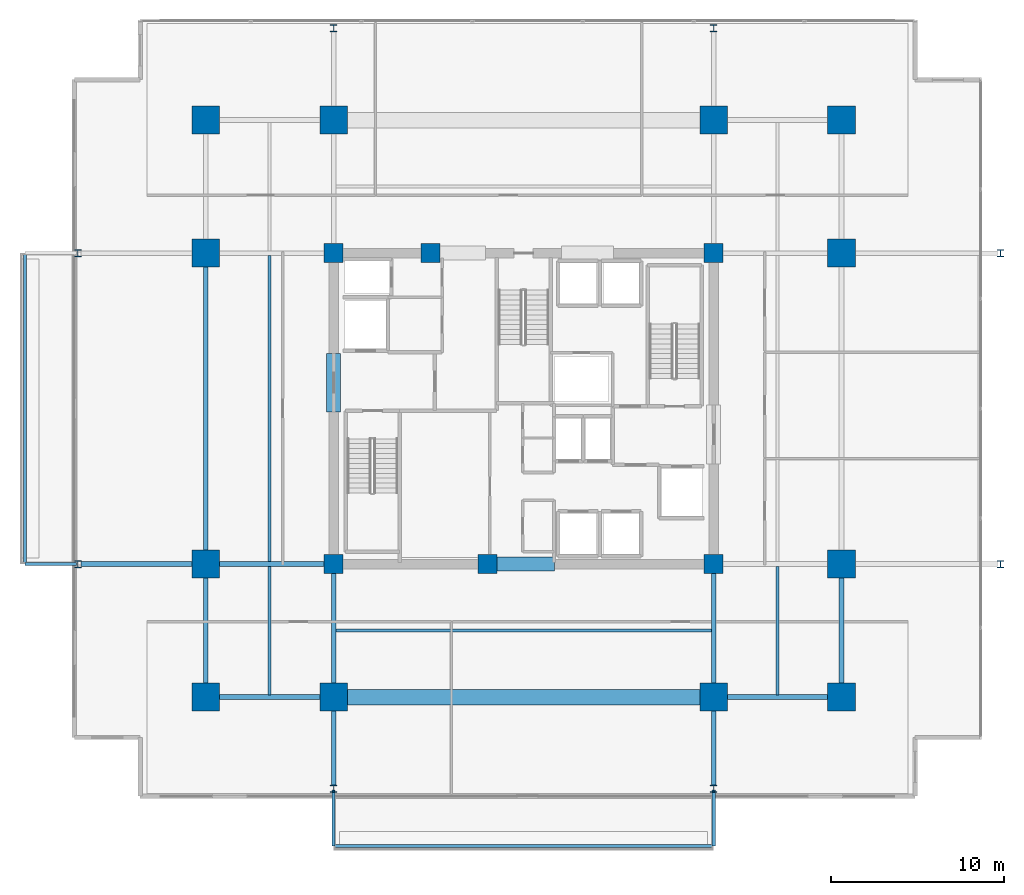
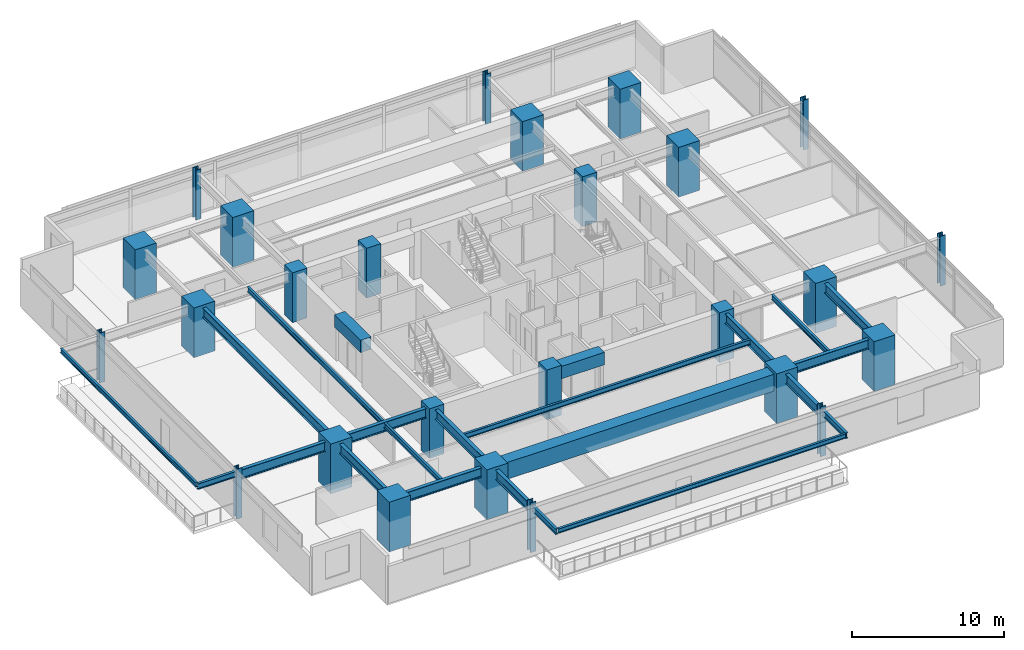
# One storey, part 1 of 23: 26 columns, 23 beams.
"""IFC4 building model written with IfcOpenShell, lengths in metres."""

from ifc_helpers import new_model, si_unit, direction, frame, origin, origin_2d, place, context, subcontext, project, spatial, rectangle, i_section, extrude, material, material_profile, profile_set, type_object, element, save


model = new_model("IFC4")

# Units and contexts
model_context = context("Model", 3, precision=1e-05, world=origin(), true_north=direction((0.0, 1.0)))
body_context = subcontext(model_context, "Body", "Model", "MODEL_VIEW")
ifc_project = project(units=[si_unit("LENGTHUNIT", "METRE"), si_unit("AREAUNIT", "SQUARE_METRE"), si_unit("VOLUMEUNIT", "CUBIC_METRE"), si_unit("PLANEANGLEUNIT", "RADIAN"), si_unit("MASSUNIT", "GRAM", prefix="KILO")], contexts=[model_context])

# Site, building, storey
site_placement = place(None, origin())
site = spatial("IfcSite", under=ifc_project, at=site_placement, CompositionType="ELEMENT")
building_placement = place(site_placement, origin())
building = spatial("IfcBuilding", under=site, at=building_placement, Name="Kovane Verandah Tower", CompositionType="ELEMENT")
storey_placement = place(building_placement, frame((0.0, 0.0, 140.39990234375)))
storey = spatial("IfcBuildingStorey", under=building, at=storey_placement, Name="L32", CompositionType="ELEMENT", Elevation=140.39990234375)

# Columns
ifc_material_1 = material(Name="Concrete C80/95", Category="concrete")
ifc_material_profile_1 = material_profile(ifc_material_1, rectangle(XDim=1.60009765625, YDim=1.60009765625, at=origin_2d()), Name="RC1600x1600")
ifc_profile_set_1 = profile_set([ifc_material_profile_1], Name="Concrete C80/95")
column_type_1 = type_object("IfcColumnType", Name="COL-RC1600", PredefinedType="COLUMN", material=ifc_profile_set_1)
for number, where, z_axis, x_axis, name in (
    (1, (29.0, 10.800048828125, 0.0), (0.0, 0.0, 1.0), (1.0, 0.0, 0.0), "L32 Tower Mega-Column MC-S1"),
    (2, (51.0, 10.800048828125, 0.0), (0.0, 0.0, 1.0), (1.0, 0.0, 0.0), "L32 Tower Mega-Column MC-S2"),
    (3, (29.0, 44.199951171875, 0.0), (0.0, 0.0, 1.0), (1.0, 0.0, 0.0), "L32 Tower Mega-Column MC-N1"),
    (4, (51.0, 44.199951171875, 0.0), (0.0, 0.0, 1.0), (1.0, 0.0, 0.0), "L32 Tower Mega-Column MC-N2"),
    (5, (21.60009765625, 18.5, 0.0), (0.0, 0.0, 1.0), (1.0, 0.0, 0.0), "L32 Tower Mega-Column MC-W1"),
    (6, (21.60009765625, 36.5, 0.0), (0.0, 0.0, 1.0), (1.0, 0.0, 0.0), "L32 Tower Mega-Column MC-W2"),
    (7, (58.39990234375, 18.5, 0.0), (0.0, 0.0, 1.0), (1.0, 0.0, 0.0), "L32 Tower Mega-Column MC-E1"),
    (8, (58.39990234375, 36.5, 0.0), (0.0, 0.0, 1.0), (1.0, 0.0, 0.0), "L32 Tower Mega-Column MC-E2"),
    (9, (21.60009765625, 10.800048828125, 0.0), (0.0, 0.0, 1.0), (1.0, 0.0, 0.0), "L32 Tower Mega-Column MC-SW"),
    (10, (58.39990234375, 10.800048828125, 0.0), (0.0, 0.0, 1.0), (1.0, 0.0, 0.0), "L32 Tower Mega-Column MC-SE"),
    (11, (21.60009765625, 44.199951171875, 0.0), (0.0, 0.0, 1.0), (1.0, 0.0, 0.0), "L32 Tower Mega-Column MC-NW"),
    (12, (58.39990234375, 44.199951171875, 0.0), (0.0, 0.0, 1.0), (1.0, 0.0, 0.0), "L32 Tower Mega-Column MC-NE"),
):
    element("IfcColumn", number, at=place(storey_placement, frame(where, z_axis=z_axis, x_axis=x_axis)), inside=storey, type_object=column_type_1, Name=name, PredefinedType="COLUMN", context=body_context, shape_type="SweptSolid", body=[
        extrude(rectangle(XDim=1.60009765625, YDim=1.60009765625, at=origin_2d()), origin(), (0.0, 0.0, 1.0), 4.0),
    ])
ifc_material_2 = material(Name="Steel S460", Category="steel")
ifc_material_profile_2 = material_profile(ifc_material_2, i_section(OverallWidth=0.412109375, OverallDepth=0.4365234375, WebThickness=0.035888671875, FlangeThickness=0.05810546875, FilletRadius=0.01513671875, at=origin_2d()), Name="UC356x406x467")
ifc_profile_set_2 = profile_set([ifc_material_profile_2], Name="Steel S460")
column_type_2 = type_object("IfcColumnType", Name="COL-UC467", PredefinedType="COLUMN", material=ifc_profile_set_2)
for number, where, z_axis, x_axis, name in (
    (13, (14.199951171875, 18.5, 0.0), (0.0, 0.0, 1.0), (1.0, 0.0, 0.0), "L32 Verandah Perimeter Column VC-W1"),
    (14, (14.199951171875, 36.5, 0.0), (0.0, 0.0, 1.0), (1.0, 0.0, 0.0), "L32 Verandah Perimeter Column VC-W2"),
    (15, (67.60009765625, 18.5, 0.0), (0.0, 0.0, 1.0), (1.0, 0.0, 0.0), "L32 Verandah Perimeter Column VC-E1"),
    (16, (67.60009765625, 36.5, 0.0), (0.0, 0.0, 1.0), (1.0, 0.0, 0.0), "L32 Verandah Perimeter Column VC-E2"),
    (17, (29.0, 5.5, 0.0), (0.0, 0.0, 1.0), (1.0, 0.0, 0.0), "L32 Verandah Perimeter Column VC-S1"),
    (18, (51.0, 5.5, 0.0), (0.0, 0.0, 1.0), (1.0, 0.0, 0.0), "L32 Verandah Perimeter Column VC-S2"),
    (19, (29.0, 49.5, 0.0), (0.0, 0.0, 1.0), (1.0, 0.0, 0.0), "L32 Verandah Perimeter Column VC-N1"),
    (20, (51.0, 49.5, 0.0), (0.0, 0.0, 1.0), (1.0, 0.0, 0.0), "L32 Verandah Perimeter Column VC-N2"),
):
    element("IfcColumn", number, at=place(storey_placement, frame(where, z_axis=z_axis, x_axis=x_axis)), inside=storey, type_object=column_type_2, Name=name, PredefinedType="COLUMN", context=body_context, shape_type="SweptSolid", body=[
        extrude(i_section(OverallWidth=0.412109375, OverallDepth=0.4365234375, WebThickness=0.035888671875, FlangeThickness=0.05810546875, FilletRadius=0.01513671875, at=origin_2d()), origin(), (0.0, 0.0, 1.0), 4.0),
    ])
ifc_material_profile_3 = material_profile(ifc_material_1, rectangle(XDim=1.10009765625, YDim=1.10009765625, at=origin_2d()), Name="RC1100x1100")
ifc_profile_set_3 = profile_set([ifc_material_profile_3], Name="Concrete C80/95")
column_type_3 = type_object("IfcColumnType", Name="PIL-RC1100", PredefinedType="PILASTER", material=ifc_profile_set_3)
for number, where, z_axis, x_axis, name in (
    (21, (29.0, 18.5, 0.0), (0.0, 0.0, 1.0), (1.0, 0.0, 0.0), "L32 Core Pilaster CP-SW"),
    (22, (51.0, 18.5, 0.0), (0.0, 0.0, 1.0), (1.0, 0.0, 0.0), "L32 Core Pilaster CP-SE"),
    (23, (29.0, 36.5, 0.0), (0.0, 0.0, 1.0), (1.0, 0.0, 0.0), "L32 Core Pilaster CP-NW"),
    (24, (51.0, 36.5, 0.0), (0.0, 0.0, 1.0), (1.0, 0.0, 0.0), "L32 Core Pilaster CP-NE"),
    (25, (37.89990234375, 18.5, 0.0), (0.0, 0.0, 1.0), (1.0, 0.0, 0.0), "L32 Core Pilaster CP-S"),
    (26, (34.60009765625, 36.5, 0.0), (0.0, 0.0, 1.0), (1.0, 0.0, 0.0), "L32 Core Pilaster CP-N"),
):
    element("IfcColumn", number, at=place(storey_placement, frame(where, z_axis=z_axis, x_axis=x_axis)), inside=storey, type_object=column_type_3, Name=name, PredefinedType="PILASTER", context=body_context, shape_type="SweptSolid", body=[
        extrude(rectangle(XDim=1.10009765625, YDim=1.10009765625, at=origin_2d()), origin(), (0.0, 0.0, 1.0), 4.0),
    ])

# Beams
ifc_material_3 = material(Name="Concrete C60/75", Category="concrete")
ifc_material_profile_4 = material_profile(ifc_material_3, rectangle(XDim=0.800048828125, YDim=1.0, at=origin_2d()), Name="RCB800x1000")
ifc_profile_set_4 = profile_set([ifc_material_profile_4], Name="Concrete C60/75")
beam_type_1 = type_object("IfcBeamType", Name="BM-LINTEL-800x1000", PredefinedType="LINTEL", material=ifc_profile_set_4)
beam_1_placement = place(storey_placement, frame((38.199951171875, 18.5, 3.275146484375), z_axis=(1.0, 0.0, 0.0), x_axis=(0.0, 1.0, 0.0)))
element("IfcBeam", 27, at=beam_1_placement, inside=storey, type_object=beam_type_1, Name="L32 Core Coupling Lintel CL-S", PredefinedType="LINTEL", context=body_context, shape_type="SweptSolid", body=[
    extrude(rectangle(XDim=0.800048828125, YDim=1.0, at=origin_2d()), origin(), (0.0, 0.0, 1.0), 3.60009765625),
])
beam_2_placement = place(storey_placement, frame((29.0, 27.300048828125, 3.275146484375), z_axis=(0.0, 1.0, 0.0), x_axis=(-1.0, 0.0, 0.0)))
element("IfcBeam", 28, at=beam_2_placement, inside=storey, type_object=beam_type_1, Name="L32 Core Coupling Lintel CL-W", PredefinedType="LINTEL", context=body_context, shape_type="SweptSolid", body=[
    extrude(rectangle(XDim=0.800048828125, YDim=1.0, at=origin_2d()), origin(), (0.0, 0.0, 1.0), 3.39990234375),
])
ifc_material_profile_5 = material_profile(ifc_material_1, rectangle(XDim=0.89990234375, YDim=1.35009765625, at=origin_2d()), Name="RCB900x1350")
ifc_profile_set_5 = profile_set([ifc_material_profile_5], Name="Concrete C80/95")
beam_type_2 = type_object("IfcBeamType", Name="BM-TR-900x1350", PredefinedType="BEAM", material=ifc_profile_set_5)
beam_3_placement = place(storey_placement, frame((29.179931640625, 10.800048828125, 3.10009765625), z_axis=(1.0, 0.0, 0.0), x_axis=(0.0, 1.0, 0.0)))
element("IfcBeam", 29, at=beam_3_placement, inside=storey, type_object=beam_type_2, Name="L32 Primary Tower Girder G-RS2", PredefinedType="BEAM", context=body_context, shape_type="SweptSolid", body=[
    extrude(rectangle(XDim=0.89990234375, YDim=1.35009765625, at=origin_2d()), origin(), (0.0, 0.0, 1.0), 21.64013671875),
])
ifc_material_4 = material(Name="Steel S355", Category="steel")
ifc_material_profile_6 = material_profile(ifc_material_4, i_section(OverallWidth=0.26806640625, OverallDepth=0.769775390625, WebThickness=0.015625, FlangeThickness=0.025390625, FilletRadius=0.0166015625, at=origin_2d()), Name="UB762x267x197")
ifc_profile_set_6 = profile_set([ifc_material_profile_6], Name="Steel S355")
beam_type_3 = type_object("IfcBeamType", Name="BM-UB762x197", PredefinedType="BEAM", material=ifc_profile_set_6)
for number, where, z_axis, x_axis, name in (
    (30, (21.780029296875, 10.800048828125, 3.39013671875), (1.0, 0.0, 0.0), (0.0, 1.0, 0.0), "L32 Primary Tower Girder G-RS1"),
    (31, (51.179931640625, 10.800048828125, 3.39013671875), (1.0, 0.0, 0.0), (0.0, 1.0, 0.0), "L32 Primary Tower Girder G-RS3"),
):
    element("IfcBeam", number, at=place(storey_placement, frame(where, z_axis=z_axis, x_axis=x_axis)), inside=storey, type_object=beam_type_3, Name=name, PredefinedType="BEAM", context=body_context, shape_type="SweptSolid", body=[
        extrude(i_section(OverallWidth=0.26806640625, OverallDepth=0.769775390625, WebThickness=0.015625, FlangeThickness=0.025390625, FilletRadius=0.0166015625, at=origin_2d()), origin(), (0.0, 0.0, 1.0), 7.0400390625),
    ])
beam_4_placement = place(storey_placement, frame((21.60009765625, 10.97998046875, 3.39013671875), z_axis=(0.0, 1.0, 0.0), x_axis=(-1.0, 0.0, 0.0)))
element("IfcBeam", 32, at=beam_4_placement, inside=storey, type_object=beam_type_3, Name="L32 Primary Tower Girder G-RW1", PredefinedType="BEAM", context=body_context, shape_type="SweptSolid", body=[
    extrude(i_section(OverallWidth=0.26806640625, OverallDepth=0.769775390625, WebThickness=0.015625, FlangeThickness=0.025390625, FilletRadius=0.0166015625, at=origin_2d()), origin(), (0.0, 0.0, 1.0), 7.340087890625),
])
beam_5_placement = place(storey_placement, frame((21.60009765625, 18.679931640625, 3.39013671875), z_axis=(0.0, 1.0, 0.0), x_axis=(-1.0, 0.0, 0.0)))
element("IfcBeam", 33, at=beam_5_placement, inside=storey, type_object=beam_type_3, Name="L32 Primary Tower Girder G-RW2", PredefinedType="BEAM", context=body_context, shape_type="SweptSolid", body=[
    extrude(i_section(OverallWidth=0.26806640625, OverallDepth=0.769775390625, WebThickness=0.015625, FlangeThickness=0.025390625, FilletRadius=0.0166015625, at=origin_2d()), origin(), (0.0, 0.0, 1.0), 17.64013671875),
])
beam_6_placement = place(storey_placement, frame((58.39990234375, 10.97998046875, 3.39013671875), z_axis=(0.0, 1.0, 0.0), x_axis=(-1.0, 0.0, 0.0)))
element("IfcBeam", 34, at=beam_6_placement, inside=storey, type_object=beam_type_3, Name="L32 Primary Tower Girder G-RE1", PredefinedType="BEAM", context=body_context, shape_type="SweptSolid", body=[
    extrude(i_section(OverallWidth=0.26806640625, OverallDepth=0.769775390625, WebThickness=0.015625, FlangeThickness=0.025390625, FilletRadius=0.0166015625, at=origin_2d()), origin(), (0.0, 0.0, 1.0), 7.340087890625),
])
beam_7_placement = place(storey_placement, frame((28.820068359375, 18.5, 3.39013671875), z_axis=(-1.0, 0.0, 0.0), x_axis=(0.0, -1.0, 0.0)))
element("IfcBeam", 35, at=beam_7_placement, inside=storey, type_object=beam_type_3, Name="L32 Primary Tower Girder G-W1", PredefinedType="BEAM", context=body_context, shape_type="SweptSolid", body=[
    extrude(i_section(OverallWidth=0.26806640625, OverallDepth=0.769775390625, WebThickness=0.015625, FlangeThickness=0.025390625, FilletRadius=0.0166015625, at=origin_2d()), origin(), (0.0, 0.0, 1.0), 7.0400390625),
])
for number, where, z_axis, x_axis, name in (
    (36, (29.0, 18.320068359375, 3.39013671875), (0.0, -1.0, 0.0), (1.0, 0.0, 0.0), "L32 Primary Tower Girder G-S1"),
    (37, (51.0, 18.320068359375, 3.39013671875), (0.0, -1.0, 0.0), (1.0, 0.0, 0.0), "L32 Primary Tower Girder G-S2"),
):
    element("IfcBeam", number, at=place(storey_placement, frame(where, z_axis=z_axis, x_axis=x_axis)), inside=storey, type_object=beam_type_3, Name=name, PredefinedType="BEAM", context=body_context, shape_type="SweptSolid", body=[
        extrude(i_section(OverallWidth=0.26806640625, OverallDepth=0.769775390625, WebThickness=0.015625, FlangeThickness=0.025390625, FilletRadius=0.0166015625, at=origin_2d()), origin(), (0.0, 0.0, 1.0), 7.340087890625),
    ])
beam_8_placement = place(storey_placement, frame((21.419921875, 18.5, 3.375244140625), z_axis=(-1.0, 0.0, 0.0), x_axis=(0.0, -1.0, 0.0)))
element("IfcBeam", 38, at=beam_8_placement, inside=storey, type_object=beam_type_3, Name="L32 Primary Tower Girder G-VW1", PredefinedType="BEAM", context=body_context, shape_type="SweptSolid", body=[
    extrude(i_section(OverallWidth=0.26806640625, OverallDepth=0.769775390625, WebThickness=0.015625, FlangeThickness=0.025390625, FilletRadius=0.0166015625, at=origin_2d()), origin(), (0.0, 0.0, 1.0), 7.0400390625),
])
for number, where, z_axis, x_axis, name in (
    (39, (29.0, 10.6201171875, 3.375244140625), (0.0, -1.0, 0.0), (1.0, 0.0, 0.0), "L32 Primary Tower Girder G-VS1"),
    (40, (51.0, 10.6201171875, 3.375244140625), (0.0, -1.0, 0.0), (1.0, 0.0, 0.0), "L32 Primary Tower Girder G-VS2"),
):
    element("IfcBeam", number, at=place(storey_placement, frame(where, z_axis=z_axis, x_axis=x_axis)), inside=storey, type_object=beam_type_3, Name=name, PredefinedType="BEAM", context=body_context, shape_type="SweptSolid", body=[
        extrude(i_section(OverallWidth=0.26806640625, OverallDepth=0.769775390625, WebThickness=0.015625, FlangeThickness=0.025390625, FilletRadius=0.0166015625, at=origin_2d()), origin(), (0.0, 0.0, 1.0), 4.940185546875),
    ])
ifc_material_profile_7 = material_profile(ifc_material_4, i_section(OverallWidth=0.179443359375, OverallDepth=0.412841796875, WebThickness=0.009521484375, FlangeThickness=0.01611328125, FilletRadius=0.01025390625, at=origin_2d()), Name="UB406x178x74")
ifc_profile_set_7 = profile_set([ifc_material_profile_7], Name="Steel S355")
beam_type_4 = type_object("IfcBeamType", Name="JST-UB406x74", PredefinedType="JOIST", material=ifc_profile_set_7)
beam_9_placement = place(storey_placement, frame((29.132080078125, 14.64990234375, 3.568603515625), z_axis=(1.0, 0.0, 0.0), x_axis=(0.0, 1.0, 0.0)))
element("IfcBeam", 41, at=beam_9_placement, inside=storey, type_object=beam_type_4, Name="L32 Secondary Composite Joist J-S1", PredefinedType="JOIST", context=body_context, shape_type="SweptSolid", body=[
    extrude(i_section(OverallWidth=0.179443359375, OverallDepth=0.412841796875, WebThickness=0.009521484375, FlangeThickness=0.01611328125, FilletRadius=0.01025390625, at=origin_2d()), origin(), (0.0, 0.0, 1.0), 21.73583984375),
])
beam_10_placement = place(storey_placement, frame((25.300048828125, 18.632080078125, 3.568603515625), z_axis=(0.0, 1.0, 0.0), x_axis=(-1.0, 0.0, 0.0)))
element("IfcBeam", 42, at=beam_10_placement, inside=storey, type_object=beam_type_4, Name="L32 Secondary Composite Joist J-W1", PredefinedType="JOIST", context=body_context, shape_type="SweptSolid", body=[
    extrude(i_section(OverallWidth=0.179443359375, OverallDepth=0.412841796875, WebThickness=0.009521484375, FlangeThickness=0.01611328125, FilletRadius=0.01025390625, at=origin_2d()), origin(), (0.0, 0.0, 1.0), 17.73583984375),
])
for number, where, z_axis, x_axis, name in (
    (43, (25.300048828125, 10.931884765625, 3.568603515625), (0.0, 1.0, 0.0), (-1.0, 0.0, 0.0), "L32 Secondary Composite Joist J-SW1"),
    (44, (54.699951171875, 10.931884765625, 3.568603515625), (0.0, 1.0, 0.0), (-1.0, 0.0, 0.0), "L32 Secondary Composite Joist J-SE1"),
):
    element("IfcBeam", number, at=place(storey_placement, frame(where, z_axis=z_axis, x_axis=x_axis)), inside=storey, type_object=beam_type_4, Name=name, PredefinedType="JOIST", context=body_context, shape_type="SweptSolid", body=[
        extrude(i_section(OverallWidth=0.179443359375, OverallDepth=0.412841796875, WebThickness=0.009521484375, FlangeThickness=0.01611328125, FilletRadius=0.01025390625, at=origin_2d()), origin(), (0.0, 0.0, 1.0), 7.43603515625),
    ])
ifc_material_profile_8 = material_profile(ifc_material_4, i_section(OverallWidth=0.19287109375, OverallDepth=0.46728515625, WebThickness=0.011474609375, FlangeThickness=0.01953125, FilletRadius=0.01025390625, at=origin_2d()), Name="UB457x191x98")
ifc_profile_set_8 = profile_set([ifc_material_profile_8], Name="Steel S355")
beam_type_5 = type_object("IfcBeamType", Name="JST-UB457x98", PredefinedType="JOIST", material=ifc_profile_set_8)
for number, where, z_axis, x_axis, name in (
    (45, (29.0, 5.419921875, 3.526611328125), (0.0, -1.0, 0.0), (1.0, 0.0, 0.0), "L32 South Planter Girder 1"),
    (46, (51.0, 5.419921875, 3.526611328125), (0.0, -1.0, 0.0), (1.0, 0.0, 0.0), "L32 South Planter Girder 2"),
):
    element("IfcBeam", number, at=place(storey_placement, frame(where, z_axis=z_axis, x_axis=x_axis)), inside=storey, type_object=beam_type_5, Name=name, PredefinedType="JOIST", context=body_context, shape_type="SweptSolid", body=[
        extrude(i_section(OverallWidth=0.19287109375, OverallDepth=0.46728515625, WebThickness=0.011474609375, FlangeThickness=0.01953125, FilletRadius=0.01025390625, at=origin_2d()), origin(), (0.0, 0.0, 1.0), 3.244873046875),
    ])
beam_11_placement = place(storey_placement, frame((14.1201171875, 18.5, 3.526611328125), z_axis=(-1.0, 0.0, 0.0), x_axis=(0.0, -1.0, 0.0)))
element("IfcBeam", 47, at=beam_11_placement, inside=storey, type_object=beam_type_5, Name="L32 West Planter Girder 1", PredefinedType="JOIST", context=body_context, shape_type="SweptSolid", body=[
    extrude(i_section(OverallWidth=0.19287109375, OverallDepth=0.46728515625, WebThickness=0.011474609375, FlangeThickness=0.01953125, FilletRadius=0.01025390625, at=origin_2d()), origin(), (0.0, 0.0, 1.0), 2.977294921875),
])
ifc_material_profile_9 = material_profile(ifc_material_4, i_section(OverallWidth=0.173095703125, OverallDepth=0.36328125, WebThickness=0.009033203125, FlangeThickness=0.015625, FilletRadius=0.01025390625, at=origin_2d()), Name="UB356x171x67")
ifc_profile_set_9 = profile_set([ifc_material_profile_9], Name="Steel S355")
beam_type_6 = type_object("IfcBeamType", Name="SPD-UB356x67", PredefinedType="USERDEFINED", material=ifc_profile_set_9)
beam_12_placement = place(storey_placement, frame((29.094482421875, 2.175048828125, 3.578369140625), z_axis=(1.0, 0.0, 0.0), x_axis=(0.0, 1.0, 0.0)))
element("IfcBeam", 48, at=beam_12_placement, inside=storey, type_object=beam_type_6, Name="L32 South Planter Edge Spandrel", ObjectType="SPANDREL", PredefinedType="USERDEFINED", context=body_context, shape_type="SweptSolid", body=[
    extrude(i_section(OverallWidth=0.173095703125, OverallDepth=0.36328125, WebThickness=0.009033203125, FlangeThickness=0.015625, FilletRadius=0.01025390625, at=origin_2d()), origin(), (0.0, 0.0, 1.0), 21.81103515625),
])
beam_13_placement = place(storey_placement, frame((11.142822265625, 18.594482421875, 3.578369140625), z_axis=(0.0, 1.0, 0.0), x_axis=(-1.0, 0.0, 0.0)))
element("IfcBeam", 49, at=beam_13_placement, inside=storey, type_object=beam_type_6, Name="L32 West Planter Edge Spandrel", ObjectType="SPANDREL", PredefinedType="USERDEFINED", context=body_context, shape_type="SweptSolid", body=[
    extrude(i_section(OverallWidth=0.173095703125, OverallDepth=0.36328125, WebThickness=0.009033203125, FlangeThickness=0.015625, FilletRadius=0.01025390625, at=origin_2d()), origin(), (0.0, 0.0, 1.0), 17.81103515625),
])

save(model, "model.ifc")
